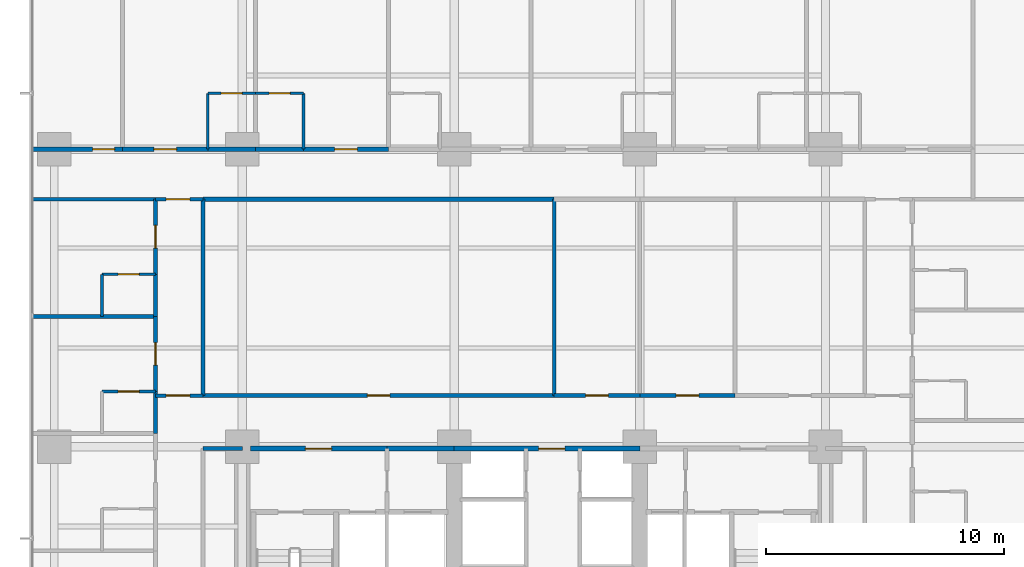
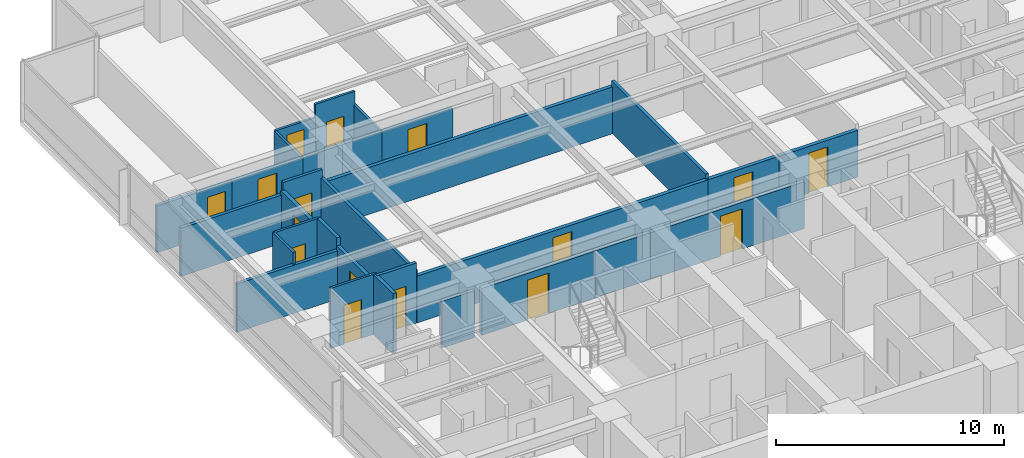
# One storey, part 9 of 16: 30 walls, 16 doors, 16 openings.
"""IFC4 building model written with IfcOpenShell, lengths in metres."""

from ifc_helpers import new_model, si_unit, direction, frame, frame_2d, origin, place, context, subcontext, project, spatial, rectangle, extrude, material, layer, layer_set, type_object, element, fill, save


model = new_model("IFC4")

# Units and contexts
model_context = context("Model", 3, precision=1e-05, world=origin(), true_north=direction((0.0, 1.0)))
body_context = subcontext(model_context, "Body", "Model", "MODEL_VIEW")
ifc_project = project(units=[si_unit("LENGTHUNIT", "METRE"), si_unit("AREAUNIT", "SQUARE_METRE"), si_unit("VOLUMEUNIT", "CUBIC_METRE"), si_unit("PLANEANGLEUNIT", "RADIAN"), si_unit("MASSUNIT", "GRAM", prefix="KILO")], contexts=[model_context])

# Site, building, storey
site_placement = place(None, origin())
site = spatial("IfcSite", under=ifc_project, at=site_placement, CompositionType="ELEMENT")
building_placement = place(site_placement, origin())
building = spatial("IfcBuilding", under=site, at=building_placement, Name="Qalmaran Belvedere Hotel", CompositionType="ELEMENT")
storey_placement = place(building_placement, frame((0.0, 0.0, 57.89990234375)))
storey = spatial("IfcBuildingStorey", under=building, at=storey_placement, Name="L14", CompositionType="ELEMENT", Elevation=57.89990234375)

# Wall, opening, door
ifc_material_1 = material(Name="Moisture-Resistant Gypsum")
ifc_layer_1 = layer(ifc_material_1, 0.1201171875, Name="Moisture-Resistant Gypsum")
ifc_layer_set_1 = layer_set([ifc_layer_1], Name="Moisture-Resistant Gypsum")
wall_type_1 = type_object("IfcWallType", Name="WL-INT-120-BATH", PredefinedType="PARTITIONING", material=ifc_layer_set_1)
wall_1_placement = place(storey_placement, frame((18.847412109375, 35.35009765625, 0.0), z_axis=(0.0, 0.0, 1.0), x_axis=(1.0, 0.0, 0.0)))
wall_1 = element("IfcWall", 1, at=wall_1_placement, inside=storey, type_object=wall_type_1, Name="L14 Partition WL-L14-NBN00", PredefinedType="PARTITIONING", context=body_context, shape_type="SweptSolid", body=[
    extrude(rectangle(XDim=2.010009765625, YDim=0.1201171875, at=frame_2d((1.0048828125, 0.0))), origin(), (0.0, 0.0, 1.0), 2.510009765625),
])
opening_1_placement = place(wall_1_placement, frame((1.44482421875, 0.0, 0.0), z_axis=(0.0, 0.0, 1.0), x_axis=(-1.0, 0.0, 0.0)))
opening_1 = element("IfcOpeningElement", 2, at=opening_1_placement, cuts=wall_1, Name="Opening D-BATH", PredefinedType="OPENING", context=body_context, shape_type="SweptSolid", body=[
    extrude(rectangle(XDim=0.8798828125, YDim=2.080078125, at=frame_2d((0.43994140625, 1.0400390625))), frame((0.0, 0.070068359375, 0.0), z_axis=(0.0, -1.0, 0.0), x_axis=(1.0, 0.0, 0.0)), (0.0, 0.0, 1.0), 0.14013671875),
])
ifc_material_2 = material(Name="Engineered Oak Veneer")
door_type_1 = type_object("IfcDoorType", Name="DR-INT-BATH-880X2080", OperationType="NOTDEFINED", PredefinedType="DOOR", material=ifc_material_2)
door_1_placement = place(opening_1_placement, origin())
door_1 = element("IfcDoor", 3, at=door_1_placement, inside=storey, type_object=door_type_1, Name="L14 Ensuite Bathroom Door N01", OperationType="SINGLE_SWING_LEFT", OverallHeight=2.080078125, OverallWidth=0.8798828125, PredefinedType="DOOR", context=body_context, shape_type="SweptSolid", body=[
    extrude(rectangle(XDim=0.8798828125, YDim=2.080078125, at=frame_2d((0.43994140625, 1.0400390625))), frame((0.0, 0.02490234375, 0.0), z_axis=(0.0, -1.0, 0.0), x_axis=(1.0, 0.0, 0.0)), (0.0, 0.0, 1.0), 0.050048828125),
])
fill(opening_1, door_1)

# Wall
wall_2_placement = place(storey_placement, frame((18.847412109375, 33.0, 0.0), z_axis=(0.0, 0.0, 1.0), x_axis=(0.0, 1.0, 0.0)))
element("IfcWall", 4, at=wall_2_placement, inside=storey, type_object=wall_type_1, Name="L14 Partition WL-L14-NBS00", PredefinedType="PARTITIONING", context=body_context, shape_type="SweptSolid", body=[
    extrude(rectangle(XDim=2.35009765625, YDim=0.1201171875, at=frame_2d((1.175048828125, 0.0))), origin(), (0.0, 0.0, 1.0), 2.510009765625),
])

# Wall, opening, door
wall_3_placement = place(storey_placement, frame((20.857421875, 35.35009765625, 0.0), z_axis=(0.0, 0.0, 1.0), x_axis=(1.0, 0.0, 0.0)))
wall_3 = element("IfcWall", 5, at=wall_3_placement, inside=storey, type_object=wall_type_1, Name="L14 Partition WL-L14-NBN01", PredefinedType="PARTITIONING", context=body_context, shape_type="SweptSolid", body=[
    extrude(rectangle(XDim=2.010009765625, YDim=0.1201171875, at=frame_2d((1.0048828125, 0.0))), origin(), (0.0, 0.0, 1.0), 3.22021484375),
])
opening_2_placement = place(wall_3_placement, frame((1.44482421875, 0.0, 0.0), z_axis=(0.0, 0.0, 1.0), x_axis=(-1.0, 0.0, 0.0)))
opening_2 = element("IfcOpeningElement", 6, at=opening_2_placement, cuts=wall_3, Name="Opening D-BATH", PredefinedType="OPENING", context=body_context, shape_type="SweptSolid", body=[
    extrude(rectangle(XDim=0.8798828125, YDim=2.080078125, at=frame_2d((0.43994140625, 1.0400390625))), frame((0.0, 0.070068359375, 0.0), z_axis=(0.0, -1.0, 0.0), x_axis=(1.0, 0.0, 0.0)), (0.0, 0.0, 1.0), 0.14013671875),
])
door_2_placement = place(opening_2_placement, origin())
door_2 = element("IfcDoor", 7, at=door_2_placement, inside=storey, type_object=door_type_1, Name="L14 Ensuite Bathroom Door N02", OperationType="SINGLE_SWING_LEFT", OverallHeight=2.080078125, OverallWidth=0.8798828125, PredefinedType="DOOR", context=body_context, shape_type="SweptSolid", body=[
    extrude(rectangle(XDim=0.8798828125, YDim=2.080078125, at=frame_2d((0.43994140625, 1.0400390625))), frame((0.0, 0.02490234375, 0.0), z_axis=(0.0, -1.0, 0.0), x_axis=(1.0, 0.0, 0.0)), (0.0, 0.0, 1.0), 0.050048828125),
])
fill(opening_2, door_2)

# Wall
wall_4_placement = place(storey_placement, frame((22.867431640625, 33.0, 0.0), z_axis=(0.0, 0.0, 1.0), x_axis=(0.0, 1.0, 0.0)))
element("IfcWall", 8, at=wall_4_placement, inside=storey, type_object=wall_type_1, Name="L14 Partition WL-L14-NBS01", PredefinedType="PARTITIONING", context=body_context, shape_type="SweptSolid", body=[
    extrude(rectangle(XDim=2.35009765625, YDim=0.1201171875, at=frame_2d((1.175048828125, 0.0))), origin(), (0.0, 0.0, 1.0), 2.510009765625),
])

# Wall, opening, door
wall_5_placement = place(storey_placement, frame((14.39990234375, 22.820068359375, 0.0), z_axis=(0.0, 0.0, 1.0), x_axis=(1.0, 0.0, 0.0)))
wall_5 = element("IfcWall", 9, at=wall_5_placement, inside=storey, type_object=wall_type_1, Name="L14 Partition WL-L14-WBN02", PredefinedType="PARTITIONING", context=body_context, shape_type="SweptSolid", body=[
    extrude(rectangle(XDim=2.25, YDim=0.1201171875, at=frame_2d((1.125, 0.0))), origin(), (0.0, 0.0, 1.0), 3.22021484375),
])
opening_3_placement = place(wall_5_placement, frame((1.56494140625, 0.0, 0.0), z_axis=(0.0, 0.0, 1.0), x_axis=(-1.0, 0.0, 0.0)))
opening_3 = element("IfcOpeningElement", 10, at=opening_3_placement, cuts=wall_5, Name="Opening D-BATH", PredefinedType="OPENING", context=body_context, shape_type="SweptSolid", body=[
    extrude(rectangle(XDim=0.8798828125, YDim=2.080078125, at=frame_2d((0.43994140625, 1.0400390625))), frame((0.0, 0.070068359375, 0.0), z_axis=(0.0, -1.0, 0.0), x_axis=(1.0, 0.0, 0.0)), (0.0, 0.0, 1.0), 0.14013671875),
])
door_3_placement = place(opening_3_placement, origin())
door_3 = element("IfcDoor", 11, at=door_3_placement, inside=storey, type_object=door_type_1, Name="L14 W Ensuite Door 03", OperationType="SINGLE_SWING_LEFT", OverallHeight=2.080078125, OverallWidth=0.8798828125, PredefinedType="DOOR", context=body_context, shape_type="SweptSolid", body=[
    extrude(rectangle(XDim=0.8798828125, YDim=2.080078125, at=frame_2d((0.43994140625, 1.0400390625))), frame((0.0, 0.02490234375, 0.0), z_axis=(0.0, -1.0, 0.0), x_axis=(1.0, 0.0, 0.0)), (0.0, 0.0, 1.0), 0.050048828125),
])
fill(opening_3, door_3)

wall_6_placement = place(storey_placement, frame((14.39990234375, 27.7451171875, 0.0), z_axis=(0.0, 0.0, 1.0), x_axis=(1.0, 0.0, 0.0)))
wall_6 = element("IfcWall", 12, at=wall_6_placement, inside=storey, type_object=wall_type_1, Name="L14 Partition WL-L14-WBN03", PredefinedType="PARTITIONING", context=body_context, shape_type="SweptSolid", body=[
    extrude(rectangle(XDim=2.25, YDim=0.1201171875, at=frame_2d((1.125, 0.0))), origin(), (0.0, 0.0, 1.0), 3.22021484375),
])
opening_4_placement = place(wall_6_placement, frame((1.56494140625, 0.0, 0.0), z_axis=(0.0, 0.0, 1.0), x_axis=(-1.0, 0.0, 0.0)))
opening_4 = element("IfcOpeningElement", 13, at=opening_4_placement, cuts=wall_6, Name="Opening D-BATH", PredefinedType="OPENING", context=body_context, shape_type="SweptSolid", body=[
    extrude(rectangle(XDim=0.8798828125, YDim=2.080078125, at=frame_2d((0.43994140625, 1.0400390625))), frame((0.0, 0.070068359375, 0.0), z_axis=(0.0, -1.0, 0.0), x_axis=(1.0, 0.0, 0.0)), (0.0, 0.0, 1.0), 0.14013671875),
])
door_4_placement = place(opening_4_placement, origin())
door_4 = element("IfcDoor", 14, at=door_4_placement, inside=storey, type_object=door_type_1, Name="L14 W Ensuite Door 04", OperationType="SINGLE_SWING_LEFT", OverallHeight=2.080078125, OverallWidth=0.8798828125, PredefinedType="DOOR", context=body_context, shape_type="SweptSolid", body=[
    extrude(rectangle(XDim=0.8798828125, YDim=2.080078125, at=frame_2d((0.43994140625, 1.0400390625))), frame((0.0, 0.02490234375, 0.0), z_axis=(0.0, -1.0, 0.0), x_axis=(1.0, 0.0, 0.0)), (0.0, 0.0, 1.0), 0.050048828125),
])
fill(opening_4, door_4)

# Wall
wall_7_placement = place(storey_placement, frame((14.39990234375, 25.97509765625, 0.0), z_axis=(0.0, 0.0, 1.0), x_axis=(0.0, 1.0, 0.0)))
element("IfcWall", 15, at=wall_7_placement, inside=storey, type_object=wall_type_1, Name="L14 Partition WL-L14-WBS03", PredefinedType="PARTITIONING", context=body_context, shape_type="SweptSolid", body=[
    extrude(rectangle(XDim=1.77001953125, YDim=0.1201171875, at=frame_2d((0.885009765625, 0.0))), origin(), (0.0, 0.0, 1.0), 3.22021484375),
])

# Wall, opening, door
ifc_material_3 = material(Name="Gypsum Stud Partition")
ifc_layer_2 = layer(ifc_material_3, 0.14990234375, Name="Gypsum Stud Partition")
ifc_layer_set_2 = layer_set([ifc_layer_2], Name="Gypsum Stud Partition")
wall_type_2 = type_object("IfcWallType", Name="WL-INT-150-EI60", PredefinedType="PARTITIONING", material=ifc_layer_set_2)
wall_8_placement = place(storey_placement, frame((16.64990234375, 22.64990234375, 0.0), z_axis=(0.0, 0.0, 1.0), x_axis=(1.0, 0.0, 0.0)))
wall_8 = element("IfcWall", 16, at=wall_8_placement, inside=storey, type_object=wall_type_2, Name="L14 Partition WL-L14-XCW1", PredefinedType="PARTITIONING", context=body_context, shape_type="SweptSolid", body=[
    extrude(rectangle(XDim=2.0, YDim=0.14990234375, at=frame_2d((1.0, 0.0))), origin(), (0.0, 0.0, 1.0), 3.22021484375),
])
opening_5_placement = place(wall_8_placement, frame((0.449951171875, 0.0, 0.0)))
opening_5 = element("IfcOpeningElement", 17, at=opening_5_placement, cuts=wall_8, Name="Opening FD90B", PredefinedType="OPENING", context=body_context, shape_type="SweptSolid", body=[
    extrude(rectangle(XDim=1.0, YDim=2.14990234375, at=frame_2d((0.5, 1.074951171875))), frame((0.0, 0.0849609375, 0.0), z_axis=(0.0, -1.0, 0.0), x_axis=(1.0, 0.0, 0.0)), (0.0, 0.0, 1.0), 0.169921875),
])
ifc_material_4 = material(Name="Steel S355JR", Category="steel")
door_type_2 = type_object("IfcDoorType", Name="DR-FD90B-1000X2150", OperationType="NOTDEFINED", PredefinedType="DOOR", material=ifc_material_4)
door_5_placement = place(opening_5_placement, origin())
door_5 = element("IfcDoor", 18, at=door_5_placement, inside=storey, type_object=door_type_2, Name="L14 West Corridor Smoke Door S", OperationType="SINGLE_SWING_LEFT", OverallHeight=2.14990234375, OverallWidth=1.0, PredefinedType="DOOR", context=body_context, shape_type="SweptSolid", body=[
    extrude(rectangle(XDim=1.0, YDim=2.14990234375, at=frame_2d((0.5, 1.074951171875))), frame((0.0, 0.02490234375, 0.0), z_axis=(0.0, -1.0, 0.0), x_axis=(1.0, 0.0, 0.0)), (0.0, 0.0, 1.0), 0.050048828125),
])
fill(opening_5, door_5)

wall_9_placement = place(storey_placement, frame((16.64990234375, 30.89990234375, 0.0), z_axis=(0.0, 0.0, 1.0), x_axis=(1.0, 0.0, 0.0)))
wall_9 = element("IfcWall", 19, at=wall_9_placement, inside=storey, type_object=wall_type_2, Name="L14 Partition WL-L14-XCW2", PredefinedType="PARTITIONING", context=body_context, shape_type="SweptSolid", body=[
    extrude(rectangle(XDim=2.0, YDim=0.14990234375, at=frame_2d((1.0, 0.0))), origin(), (0.0, 0.0, 1.0), 3.22021484375),
])
opening_6_placement = place(wall_9_placement, frame((0.449951171875, 0.0, 0.0)))
opening_6 = element("IfcOpeningElement", 20, at=opening_6_placement, cuts=wall_9, Name="Opening FD90B", PredefinedType="OPENING", context=body_context, shape_type="SweptSolid", body=[
    extrude(rectangle(XDim=1.0, YDim=2.14990234375, at=frame_2d((0.5, 1.074951171875))), frame((0.0, 0.0849609375, 0.0), z_axis=(0.0, -1.0, 0.0), x_axis=(1.0, 0.0, 0.0)), (0.0, 0.0, 1.0), 0.169921875),
])
door_6_placement = place(opening_6_placement, origin())
door_6 = element("IfcDoor", 21, at=door_6_placement, inside=storey, type_object=door_type_2, Name="L14 West Corridor Smoke Door N", OperationType="SINGLE_SWING_RIGHT", OverallHeight=2.14990234375, OverallWidth=1.0, PredefinedType="DOOR", context=body_context, shape_type="SweptSolid", body=[
    extrude(rectangle(XDim=1.0, YDim=2.14990234375, at=frame_2d((0.5, 1.074951171875))), frame((0.0, 0.02490234375, 0.0), z_axis=(0.0, -1.0, 0.0), x_axis=(1.0, 0.0, 0.0)), (0.0, 0.0, 1.0), 0.050048828125),
])
fill(opening_6, door_6)

# Walls
ifc_layer_3 = layer(ifc_material_3, 0.159912109375, Name="Gypsum Stud Partition")
ifc_layer_set_3 = layer_set([ifc_layer_3], Name="Gypsum Stud Partition")
wall_type_3 = type_object("IfcWallType", Name="WL-INT-160-EI60", PredefinedType="PARTITIONING", material=ifc_layer_set_3)
wall_10_placement = place(storey_placement, frame((18.64990234375, 20.419921875, 0.0), z_axis=(0.0, 0.0, 1.0), x_axis=(1.0, 0.0, 0.0)))
element("IfcWall", 22, at=wall_10_placement, inside=storey, type_object=wall_type_3, Name="L14 Partition WL-L14-WCLN", PredefinedType="PARTITIONING", context=body_context, shape_type="SweptSolid", body=[
    extrude(rectangle(XDim=1.650146484375, YDim=0.159912109375, at=frame_2d((0.8251953125, 0.0))), origin(), (0.0, 0.0, 1.0), 2.510009765625),
])
for number, where, z_axis, x_axis, name in (
    (23, (18.64990234375, 22.64990234375, 0.0), (0.0, 0.0, 1.0), (0.0, 1.0, 0.0), "L14 Partition WL-L14-MIDVL"),
    (24, (33.39990234375, 22.64990234375, 0.0), (0.0, 0.0, 1.0), (0.0, 1.0, 0.0), "L14 Partition WL-L14-MIDVR1"),
):
    element("IfcWall", number, at=place(storey_placement, frame(where, z_axis=z_axis, x_axis=x_axis)), inside=storey, type_object=wall_type_3, Name=name, PredefinedType="PARTITIONING", context=body_context, shape_type="SweptSolid", body=[
        extrude(rectangle(XDim=8.25, YDim=0.159912109375, at=frame_2d((4.125, 0.0))), origin(), (0.0, 0.0, 1.0), 2.7880859375),
    ])
for number, where, z_axis, x_axis, name in (
    (25, (11.469970703125, 25.97509765625, 0.0), (0.0, 0.0, 1.0), (1.0, 0.0, 0.0), "L14 Partition WL-L14-WU02"),
    (26, (11.469970703125, 30.89990234375, 0.0), (0.0, 0.0, 1.0), (1.0, 0.0, 0.0), "L14 Partition WL-L14-WU03"),
):
    element("IfcWall", number, at=place(storey_placement, frame(where, z_axis=z_axis, x_axis=x_axis)), inside=storey, type_object=wall_type_3, Name=name, PredefinedType="PARTITIONING", context=body_context, shape_type="SweptSolid", body=[
        extrude(rectangle(XDim=5.179931640625, YDim=0.159912109375, at=frame_2d((2.58984375, 0.0))), origin(), (0.0, 0.0, 1.0), 2.5830078125),
    ])

# Wall, opening, door
ifc_layer_4 = layer(ifc_material_3, 0.179931640625, Name="Gypsum Stud Partition")
ifc_layer_set_4 = layer_set([ifc_layer_4], Name="Gypsum Stud Partition")
wall_type_4 = type_object("IfcWallType", Name="WL-INT-180-EI60", PredefinedType="PARTITIONING", material=ifc_layer_set_4)
wall_11_placement = place(storey_placement, frame((18.64990234375, 22.64990234375, 0.0), z_axis=(0.0, 0.0, 1.0), x_axis=(1.0, 0.0, 0.0)))
wall_11 = element("IfcWall", 27, at=wall_11_placement, inside=storey, type_object=wall_type_4, Name="L14 Partition WL-L14-MIDD1", PredefinedType="PARTITIONING", context=body_context, shape_type="SweptSolid", body=[
    extrude(rectangle(XDim=14.75, YDim=0.179931640625, at=frame_2d((7.375, 0.0))), origin(), (0.0, 0.0, 1.0), 2.510009765625),
])
opening_7_placement = place(wall_11_placement, frame((6.89990234375, 0.0, 0.0)))
opening_7 = element("IfcOpeningElement", 28, at=opening_7_placement, cuts=wall_11, Name="Opening FD60", PredefinedType="OPENING", context=body_context, shape_type="SweptSolid", body=[
    extrude(rectangle(XDim=0.949951171875, YDim=2.14990234375, at=frame_2d((0.47509765625, 1.074951171875))), frame((0.0, 0.10009765625, 0.0), z_axis=(0.0, -1.0, 0.0), x_axis=(1.0, 0.0, 0.0)), (0.0, 0.0, 1.0), 0.199951171875),
])
door_type_3 = type_object("IfcDoorType", Name="DR-FD60-950X2150", OperationType="NOTDEFINED", PredefinedType="DOOR", material=ifc_material_2)
door_7_placement = place(opening_7_placement, origin())
door_7 = element("IfcDoor", 29, at=door_7_placement, inside=storey, type_object=door_type_3, Name="L14 Housekeeping and Linen Room Door", OperationType="SINGLE_SWING_LEFT", OverallHeight=2.14990234375, OverallWidth=0.949951171875, PredefinedType="DOOR", context=body_context, shape_type="SweptSolid", body=[
    extrude(rectangle(XDim=0.949951171875, YDim=2.14990234375, at=frame_2d((0.47509765625, 1.074951171875))), frame((0.0, 0.02490234375, 0.0), z_axis=(0.0, -1.0, 0.0), x_axis=(1.0, 0.0, 0.0)), (0.0, 0.0, 1.0), 0.050048828125),
])
fill(opening_7, door_7)

# Wall
wall_12_placement = place(storey_placement, frame((18.64990234375, 30.89990234375, 0.0), z_axis=(0.0, 0.0, 1.0), x_axis=(1.0, 0.0, 0.0)))
element("IfcWall", 30, at=wall_12_placement, inside=storey, type_object=wall_type_4, Name="L14 Partition WL-L14-MIDO1", PredefinedType="PARTITIONING", context=body_context, shape_type="SweptSolid", body=[
    extrude(rectangle(XDim=14.75, YDim=0.179931640625, at=frame_2d((7.375, 0.0))), origin(), (0.0, 0.0, 1.0), 2.510009765625),
])

# Wall, opening, door
wall_13_placement = place(storey_placement, frame((33.39990234375, 22.64990234375, 0.0), z_axis=(0.0, 0.0, 1.0), x_axis=(1.0, 0.0, 0.0)))
wall_13 = element("IfcWall", 31, at=wall_13_placement, inside=storey, type_object=wall_type_4, Name="L14 Partition WL-L14-MIDD2", PredefinedType="PARTITIONING", context=body_context, shape_type="SweptSolid", body=[
    extrude(rectangle(XDim=3.60009765625, YDim=0.179931640625, at=frame_2d((1.800048828125, 0.0))), origin(), (0.0, 0.0, 1.0), 2.510009765625),
])
opening_8_placement = place(wall_13_placement, frame((1.324951171875, 0.0, 0.0)))
opening_8 = element("IfcOpeningElement", 32, at=opening_8_placement, cuts=wall_13, Name="Opening FD60", PredefinedType="OPENING", context=body_context, shape_type="SweptSolid", body=[
    extrude(rectangle(XDim=0.949951171875, YDim=2.14990234375, at=frame_2d((0.47509765625, 1.074951171875))), frame((0.0, 0.10009765625, 0.0), z_axis=(0.0, -1.0, 0.0), x_axis=(1.0, 0.0, 0.0)), (0.0, 0.0, 1.0), 0.199951171875),
])
door_8_placement = place(opening_8_placement, origin())
door_8 = element("IfcDoor", 33, at=door_8_placement, inside=storey, type_object=door_type_3, Name="L14 Butler Pantry Door", OperationType="SINGLE_SWING_RIGHT", OverallHeight=2.14990234375, OverallWidth=0.949951171875, PredefinedType="DOOR", context=body_context, shape_type="SweptSolid", body=[
    extrude(rectangle(XDim=0.949951171875, YDim=2.14990234375, at=frame_2d((0.47509765625, 1.074951171875))), frame((0.0, 0.02490234375, 0.0), z_axis=(0.0, -1.0, 0.0), x_axis=(1.0, 0.0, 0.0)), (0.0, 0.0, 1.0), 0.050048828125),
])
fill(opening_8, door_8)

wall_14_placement = place(storey_placement, frame((37.0, 22.64990234375, 0.0), z_axis=(0.0, 0.0, 1.0), x_axis=(1.0, 0.0, 0.0)))
wall_14 = element("IfcWall", 34, at=wall_14_placement, inside=storey, type_object=wall_type_4, Name="L14 Partition WL-L14-MIDD3", PredefinedType="PARTITIONING", context=body_context, shape_type="SweptSolid", body=[
    extrude(rectangle(XDim=4.0, YDim=0.179931640625, at=frame_2d((2.0, 0.0))), origin(), (0.0, 0.0, 1.0), 2.510009765625),
])
opening_9_placement = place(wall_14_placement, frame((1.52490234375, 0.0, 0.0)))
opening_9 = element("IfcOpeningElement", 35, at=opening_9_placement, cuts=wall_14, Name="Opening FD60", PredefinedType="OPENING", context=body_context, shape_type="SweptSolid", body=[
    extrude(rectangle(XDim=0.949951171875, YDim=2.14990234375, at=frame_2d((0.47509765625, 1.074951171875))), frame((0.0, 0.10009765625, 0.0), z_axis=(0.0, -1.0, 0.0), x_axis=(1.0, 0.0, 0.0)), (0.0, 0.0, 1.0), 0.199951171875),
])
door_9_placement = place(opening_9_placement, origin())
door_9 = element("IfcDoor", 36, at=door_9_placement, inside=storey, type_object=door_type_3, Name="L14 Coffee Pantry Door", OperationType="SINGLE_SWING_LEFT", OverallHeight=2.14990234375, OverallWidth=0.949951171875, PredefinedType="DOOR", context=body_context, shape_type="SweptSolid", body=[
    extrude(rectangle(XDim=0.949951171875, YDim=2.14990234375, at=frame_2d((0.47509765625, 1.074951171875))), frame((0.0, 0.02490234375, 0.0), z_axis=(0.0, -1.0, 0.0), x_axis=(1.0, 0.0, 0.0)), (0.0, 0.0, 1.0), 0.050048828125),
])
fill(opening_9, door_9)

# Wall
wall_15_placement = place(storey_placement, frame((18.847412109375, 33.0, 0.0), z_axis=(0.0, 0.0, 1.0), x_axis=(1.0, 0.0, 0.0)))
element("IfcWall", 37, at=wall_15_placement, inside=storey, type_object=wall_type_4, Name="L14 Partition WL-L14-NBC00", PredefinedType="PARTITIONING", context=body_context, shape_type="SweptSolid", body=[
    extrude(rectangle(XDim=2.010009765625, YDim=0.179931640625, at=frame_2d((1.0048828125, 0.0))), origin(), (0.0, 0.0, 1.0), 2.510009765625),
])

# Wall, opening, door
wall_16_placement = place(storey_placement, frame((15.27001953125, 33.0, 0.0), z_axis=(0.0, 0.0, 1.0), x_axis=(1.0, 0.0, 0.0)))
wall_16 = element("IfcWall", 38, at=wall_16_placement, inside=storey, type_object=wall_type_4, Name="L14 Partition WL-L14-NEC00", PredefinedType="PARTITIONING", context=body_context, shape_type="SweptSolid", body=[
    extrude(rectangle(XDim=3.577392578125, YDim=0.179931640625, at=frame_2d((1.78857421875, 0.0))), origin(), (0.0, 0.0, 1.0), 2.510009765625),
])
opening_10_placement = place(wall_16_placement, frame((1.313720703125, 0.0, 0.0)))
opening_10 = element("IfcOpeningElement", 39, at=opening_10_placement, cuts=wall_16, Name="Opening FD60", PredefinedType="OPENING", context=body_context, shape_type="SweptSolid", body=[
    extrude(rectangle(XDim=0.949951171875, YDim=2.14990234375, at=frame_2d((0.47509765625, 1.074951171875))), frame((0.0, 0.10009765625, 0.0), z_axis=(0.0, -1.0, 0.0), x_axis=(1.0, 0.0, 0.0)), (0.0, 0.0, 1.0), 0.199951171875),
])
door_10_placement = place(opening_10_placement, origin())
door_10 = element("IfcDoor", 40, at=door_10_placement, inside=storey, type_object=door_type_3, Name="L14 Guest Entrance Door N01", OperationType="SINGLE_SWING_RIGHT", OverallHeight=2.14990234375, OverallWidth=0.949951171875, PredefinedType="DOOR", context=body_context, shape_type="SweptSolid", body=[
    extrude(rectangle(XDim=0.949951171875, YDim=2.14990234375, at=frame_2d((0.47509765625, 1.074951171875))), frame((0.0, 0.02490234375, 0.0), z_axis=(0.0, -1.0, 0.0), x_axis=(1.0, 0.0, 0.0)), (0.0, 0.0, 1.0), 0.050048828125),
])
fill(opening_10, door_10)

# Wall
wall_17_placement = place(storey_placement, frame((20.857421875, 33.0, 0.0), z_axis=(0.0, 0.0, 1.0), x_axis=(1.0, 0.0, 0.0)))
element("IfcWall", 41, at=wall_17_placement, inside=storey, type_object=wall_type_4, Name="L14 Partition WL-L14-NBC01", PredefinedType="PARTITIONING", context=body_context, shape_type="SweptSolid", body=[
    extrude(rectangle(XDim=2.010009765625, YDim=0.179931640625, at=frame_2d((1.0048828125, 0.0))), origin(), (0.0, 0.0, 1.0), 2.510009765625),
])

# Wall, opening, door
wall_18_placement = place(storey_placement, frame((22.867431640625, 33.0, 0.0), z_axis=(0.0, 0.0, 1.0), x_axis=(1.0, 0.0, 0.0)))
wall_18 = element("IfcWall", 42, at=wall_18_placement, inside=storey, type_object=wall_type_4, Name="L14 Partition WL-L14-NEC01", PredefinedType="PARTITIONING", context=body_context, shape_type="SweptSolid", body=[
    extrude(rectangle(XDim=3.577392578125, YDim=0.179931640625, at=frame_2d((1.78857421875, 0.0))), origin(), (0.0, 0.0, 1.0), 2.510009765625),
])
opening_11_placement = place(wall_18_placement, frame((1.313720703125, 0.0, 0.0)))
opening_11 = element("IfcOpeningElement", 43, at=opening_11_placement, cuts=wall_18, Name="Opening FD60", PredefinedType="OPENING", context=body_context, shape_type="SweptSolid", body=[
    extrude(rectangle(XDim=0.949951171875, YDim=2.14990234375, at=frame_2d((0.47509765625, 1.074951171875))), frame((0.0, 0.10009765625, 0.0), z_axis=(0.0, -1.0, 0.0), x_axis=(1.0, 0.0, 0.0)), (0.0, 0.0, 1.0), 0.199951171875),
])
door_11_placement = place(opening_11_placement, origin())
door_11 = element("IfcDoor", 44, at=door_11_placement, inside=storey, type_object=door_type_3, Name="L14 Guest Entrance Door N02", OperationType="SINGLE_SWING_RIGHT", OverallHeight=2.14990234375, OverallWidth=0.949951171875, PredefinedType="DOOR", context=body_context, shape_type="SweptSolid", body=[
    extrude(rectangle(XDim=0.949951171875, YDim=2.14990234375, at=frame_2d((0.47509765625, 1.074951171875))), frame((0.0, 0.02490234375, 0.0), z_axis=(0.0, -1.0, 0.0), x_axis=(1.0, 0.0, 0.0)), (0.0, 0.0, 1.0), 0.050048828125),
])
fill(opening_11, door_11)

# Wall
wall_19_placement = place(storey_placement, frame((16.64990234375, 21.050048828125, 0.0), z_axis=(0.0, 0.0, 1.0), x_axis=(0.0, 1.0, 0.0)))
element("IfcWall", 45, at=wall_19_placement, inside=storey, type_object=wall_type_4, Name="L14 Partition WL-L14-WBC02", PredefinedType="PARTITIONING", context=body_context, shape_type="SweptSolid", body=[
    extrude(rectangle(XDim=1.77001953125, YDim=0.179931640625, at=frame_2d((0.885009765625, 0.0))), origin(), (0.0, 0.0, 1.0), 3.22021484375),
])

# Wall, opening, door
wall_20_placement = place(storey_placement, frame((16.64990234375, 22.820068359375, 0.0), z_axis=(0.0, 0.0, 1.0), x_axis=(0.0, 1.0, 0.0)))
wall_20 = element("IfcWall", 46, at=wall_20_placement, inside=storey, type_object=wall_type_4, Name="L14 Partition WL-L14-WEC02", PredefinedType="PARTITIONING", context=body_context, shape_type="SweptSolid", body=[
    extrude(rectangle(XDim=3.155029296875, YDim=0.179931640625, at=frame_2d((1.57763671875, 0.0))), origin(), (0.0, 0.0, 1.0), 2.7880859375),
])
opening_12_placement = place(wall_20_placement, frame((1.1025390625, 0.0, 0.0)))
opening_12 = element("IfcOpeningElement", 47, at=opening_12_placement, cuts=wall_20, Name="Opening FD60", PredefinedType="OPENING", context=body_context, shape_type="SweptSolid", body=[
    extrude(rectangle(XDim=0.949951171875, YDim=2.14990234375, at=frame_2d((0.47509765625, 1.074951171875))), frame((0.0, 0.10009765625, 0.0), z_axis=(0.0, -1.0, 0.0), x_axis=(1.0, 0.0, 0.0)), (0.0, 0.0, 1.0), 0.199951171875),
])
door_12_placement = place(opening_12_placement, origin())
door_12 = element("IfcDoor", 48, at=door_12_placement, inside=storey, type_object=door_type_3, Name="L14 W Wing Door 03", OperationType="SINGLE_SWING_RIGHT", OverallHeight=2.14990234375, OverallWidth=0.949951171875, PredefinedType="DOOR", context=body_context, shape_type="SweptSolid", body=[
    extrude(rectangle(XDim=0.949951171875, YDim=2.14990234375, at=frame_2d((0.47509765625, 1.074951171875))), frame((0.0, 0.02490234375, 0.0), z_axis=(0.0, -1.0, 0.0), x_axis=(1.0, 0.0, 0.0)), (0.0, 0.0, 1.0), 0.050048828125),
])
fill(opening_12, door_12)

# Wall
wall_21_placement = place(storey_placement, frame((16.64990234375, 25.97509765625, 0.0), z_axis=(0.0, 0.0, 1.0), x_axis=(0.0, 1.0, 0.0)))
element("IfcWall", 49, at=wall_21_placement, inside=storey, type_object=wall_type_4, Name="L14 Partition WL-L14-WBC03", PredefinedType="PARTITIONING", context=body_context, shape_type="SweptSolid", body=[
    extrude(rectangle(XDim=1.77001953125, YDim=0.179931640625, at=frame_2d((0.885009765625, 0.0))), origin(), (0.0, 0.0, 1.0), 3.22021484375),
])

# Wall, opening, door
wall_22_placement = place(storey_placement, frame((16.64990234375, 27.7451171875, 0.0), z_axis=(0.0, 0.0, 1.0), x_axis=(0.0, 1.0, 0.0)))
wall_22 = element("IfcWall", 50, at=wall_22_placement, inside=storey, type_object=wall_type_4, Name="L14 Partition WL-L14-WEC03", PredefinedType="PARTITIONING", context=body_context, shape_type="SweptSolid", body=[
    extrude(rectangle(XDim=3.15478515625, YDim=0.179931640625, at=frame_2d((1.577392578125, 0.0))), origin(), (0.0, 0.0, 1.0), 2.7880859375),
])
opening_13_placement = place(wall_22_placement, frame((1.1025390625, 0.0, 0.0)))
opening_13 = element("IfcOpeningElement", 51, at=opening_13_placement, cuts=wall_22, Name="Opening FD60", PredefinedType="OPENING", context=body_context, shape_type="SweptSolid", body=[
    extrude(rectangle(XDim=0.949951171875, YDim=2.14990234375, at=frame_2d((0.47509765625, 1.074951171875))), frame((0.0, 0.10009765625, 0.0), z_axis=(0.0, -1.0, 0.0), x_axis=(1.0, 0.0, 0.0)), (0.0, 0.0, 1.0), 0.199951171875),
])
door_13_placement = place(opening_13_placement, origin())
door_13 = element("IfcDoor", 52, at=door_13_placement, inside=storey, type_object=door_type_3, Name="L14 W Wing Door 04", OperationType="SINGLE_SWING_RIGHT", OverallHeight=2.14990234375, OverallWidth=0.949951171875, PredefinedType="DOOR", context=body_context, shape_type="SweptSolid", body=[
    extrude(rectangle(XDim=0.949951171875, YDim=2.14990234375, at=frame_2d((0.47509765625, 1.074951171875))), frame((0.0, 0.02490234375, 0.0), z_axis=(0.0, -1.0, 0.0), x_axis=(1.0, 0.0, 0.0)), (0.0, 0.0, 1.0), 0.050048828125),
])
fill(opening_13, door_13)

wall_23_placement = place(storey_placement, frame((11.469970703125, 33.0, 0.0), z_axis=(0.0, 0.0, 1.0), x_axis=(1.0, 0.0, 0.0)))
wall_23 = element("IfcWall", 53, at=wall_23_placement, inside=storey, type_object=wall_type_4, Name="L14 Partition WL-L14-NWSD", PredefinedType="PARTITIONING", context=body_context, shape_type="SweptSolid", body=[
    extrude(rectangle(XDim=3.800048828125, YDim=0.179931640625, at=frame_2d((1.89990234375, 0.0))), origin(), (0.0, 0.0, 1.0), 2.510009765625),
])
opening_14_placement = place(wall_23_placement, frame((2.543701171875, 0.0, 0.0)))
opening_14 = element("IfcOpeningElement", 54, at=opening_14_placement, cuts=wall_23, Name="Opening FD60S1", PredefinedType="OPENING", context=body_context, shape_type="SweptSolid", body=[
    extrude(rectangle(XDim=0.919921875, YDim=2.080078125, at=frame_2d((0.4599609375, 1.0400390625))), frame((0.0, 0.10009765625, 0.0), z_axis=(0.0, -1.0, 0.0), x_axis=(1.0, 0.0, 0.0)), (0.0, 0.0, 1.0), 0.199951171875),
])
door_type_4 = type_object("IfcDoorType", Name="DR-FD60S-920X2080", OperationType="NOTDEFINED", PredefinedType="DOOR", material=ifc_material_2)
door_14_placement = place(opening_14_placement, origin())
door_14 = element("IfcDoor", 55, at=door_14_placement, inside=storey, type_object=door_type_4, Name="L14 NW Belvedere Study Door", OperationType="SINGLE_SWING_LEFT", OverallHeight=2.080078125, OverallWidth=0.919921875, PredefinedType="DOOR", context=body_context, shape_type="SweptSolid", body=[
    extrude(rectangle(XDim=0.919921875, YDim=2.080078125, at=frame_2d((0.4599609375, 1.0400390625))), frame((0.0, 0.02490234375, 0.0), z_axis=(0.0, -1.0, 0.0), x_axis=(1.0, 0.0, 0.0)), (0.0, 0.0, 1.0), 0.050048828125),
])
fill(opening_14, door_14)

ifc_material_5 = material(Name="Concrete C30/37 Blockwork", Category="masonry")
ifc_layer_5 = layer(ifc_material_5, 0.199951171875, Name="Concrete C30/37 Blockwork")
ifc_layer_set_5 = layer_set([ifc_layer_5], Name="Concrete C30/37 Blockwork")
wall_type_5 = type_object("IfcWallType", Name="WL-INT-200-EI120", PredefinedType="PARTITIONING", material=ifc_layer_set_5)
wall_24_placement = place(storey_placement, frame((20.64990234375, 20.419921875, 0.0), z_axis=(0.0, 0.0, 1.0), x_axis=(1.0, 0.0, 0.0)))
wall_24 = element("IfcWall", 56, at=wall_24_placement, inside=storey, type_object=wall_type_5, Name="L14 Partition WL-CN1A-L14", PredefinedType="PARTITIONING", context=body_context, shape_type="SweptSolid", body=[
    extrude(rectangle(XDim=5.72998046875, YDim=0.199951171875, at=frame_2d((2.864990234375, 0.0))), origin(), (0.0, 0.0, 1.0), 2.510009765625),
])
opening_15_placement = place(wall_24_placement, frame((2.300048828125, 0.0, 0.0)))
opening_15 = element("IfcOpeningElement", 57, at=opening_15_placement, cuts=wall_24, Name="Opening FD90", PredefinedType="OPENING", context=body_context, shape_type="SweptSolid", body=[
    extrude(rectangle(XDim=1.10009765625, YDim=2.14990234375, at=frame_2d((0.550048828125, 1.074951171875))), frame((0.0, 0.10986328125, 0.0), z_axis=(0.0, -1.0, 0.0), x_axis=(1.0, 0.0, 0.0)), (0.0, 0.0, 1.0), 0.219970703125),
])
door_type_5 = type_object("IfcDoorType", Name="DR-FD90-1100X2150", OperationType="NOTDEFINED", PredefinedType="DOOR", material=ifc_material_4)
door_15_placement = place(opening_15_placement, origin())
door_15 = element("IfcDoor", 58, at=door_15_placement, inside=storey, type_object=door_type_5, Name="L14 FF1 Lobby Corridor Door", OperationType="SINGLE_SWING_RIGHT", OverallHeight=2.14990234375, OverallWidth=1.10009765625, PredefinedType="DOOR", context=body_context, shape_type="SweptSolid", body=[
    extrude(rectangle(XDim=1.10009765625, YDim=2.14990234375, at=frame_2d((0.550048828125, 1.074951171875))), frame((0.0, 0.02490234375, 0.0), z_axis=(0.0, -1.0, 0.0), x_axis=(1.0, 0.0, 0.0)), (0.0, 0.0, 1.0), 0.050048828125),
])
fill(opening_15, door_15)

# Wall
wall_25_placement = place(storey_placement, frame((26.3798828125, 20.419921875, 0.0), z_axis=(0.0, 0.0, 1.0), x_axis=(1.0, 0.0, 0.0)))
element("IfcWall", 59, at=wall_25_placement, inside=storey, type_object=wall_type_5, Name="L14 Partition WL-CN1B-L14", PredefinedType="PARTITIONING", context=body_context, shape_type="SweptSolid", body=[
    extrude(rectangle(XDim=2.820068359375, YDim=0.199951171875, at=frame_2d((1.41015625, 0.0))), origin(), (0.0, 0.0, 1.0), 2.510009765625),
])

# Wall, opening, door
wall_26_placement = place(storey_placement, frame((29.199951171875, 20.419921875, 0.0), z_axis=(0.0, 0.0, 1.0), x_axis=(1.0, 0.0, 0.0)))
wall_26 = element("IfcWall", 60, at=wall_26_placement, inside=storey, type_object=wall_type_5, Name="L14 Partition WL-CN2-L14", PredefinedType="PARTITIONING", context=body_context, shape_type="SweptSolid", body=[
    extrude(rectangle(XDim=7.800048828125, YDim=0.199951171875, at=frame_2d((3.89990234375, 0.0))), origin(), (0.0, 0.0, 1.0), 2.510009765625),
])
opening_16_placement = place(wall_26_placement, frame((3.550048828125, 0.0, 0.0)))
opening_16 = element("IfcOpeningElement", 61, at=opening_16_placement, cuts=wall_26, Name="Opening FD90", PredefinedType="OPENING", context=body_context, shape_type="SweptSolid", body=[
    extrude(rectangle(XDim=1.10009765625, YDim=2.14990234375, at=frame_2d((0.550048828125, 1.074951171875))), frame((0.0, 0.10986328125, 0.0), z_axis=(0.0, -1.0, 0.0), x_axis=(1.0, 0.0, 0.0)), (0.0, 0.0, 1.0), 0.219970703125),
])
door_16_placement = place(opening_16_placement, origin())
door_16 = element("IfcDoor", 62, at=door_16_placement, inside=storey, type_object=door_type_5, Name="L14 Central Lift Lobby Door", OperationType="SINGLE_SWING_LEFT", OverallHeight=2.14990234375, OverallWidth=1.10009765625, PredefinedType="DOOR", context=body_context, shape_type="SweptSolid", body=[
    extrude(rectangle(XDim=1.10009765625, YDim=2.14990234375, at=frame_2d((0.550048828125, 1.074951171875))), frame((0.0, 0.02490234375, 0.0), z_axis=(0.0, -1.0, 0.0), x_axis=(1.0, 0.0, 0.0)), (0.0, 0.0, 1.0), 0.050048828125),
])
fill(opening_16, door_16)

save(model, "model.ifc")
